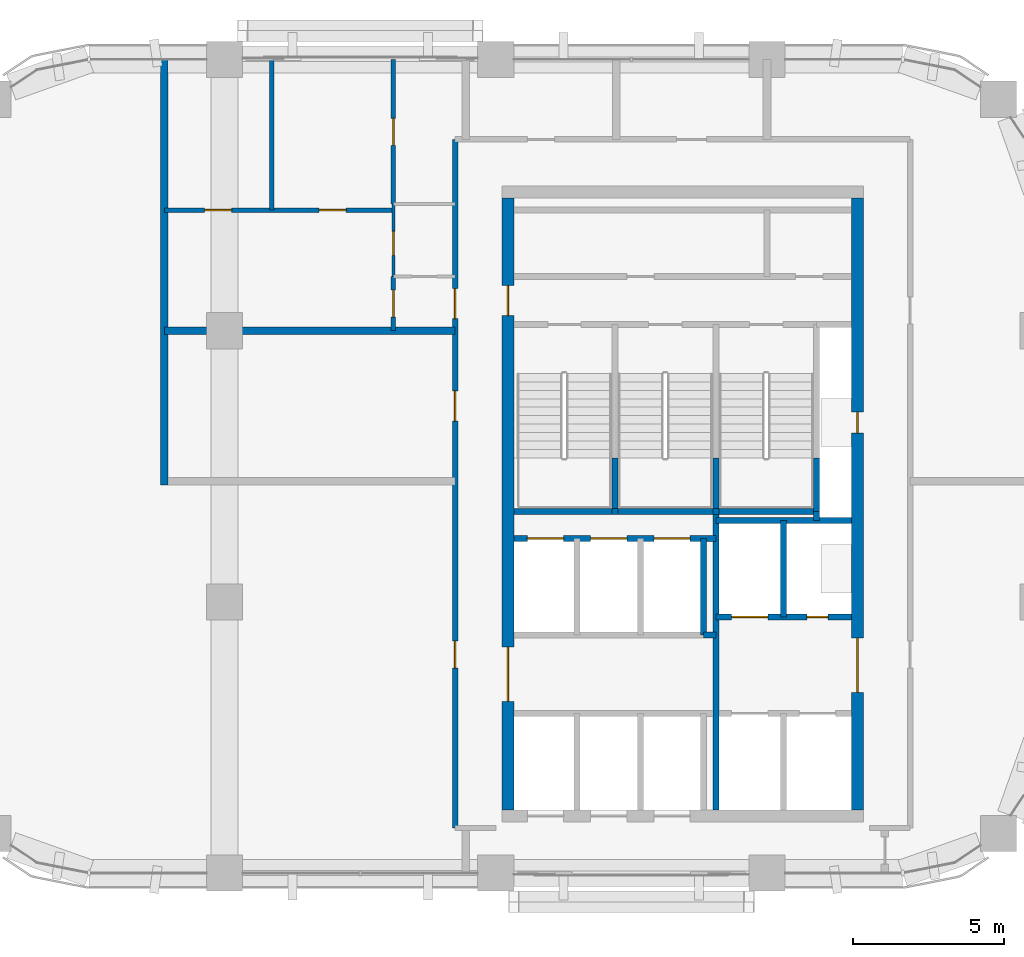
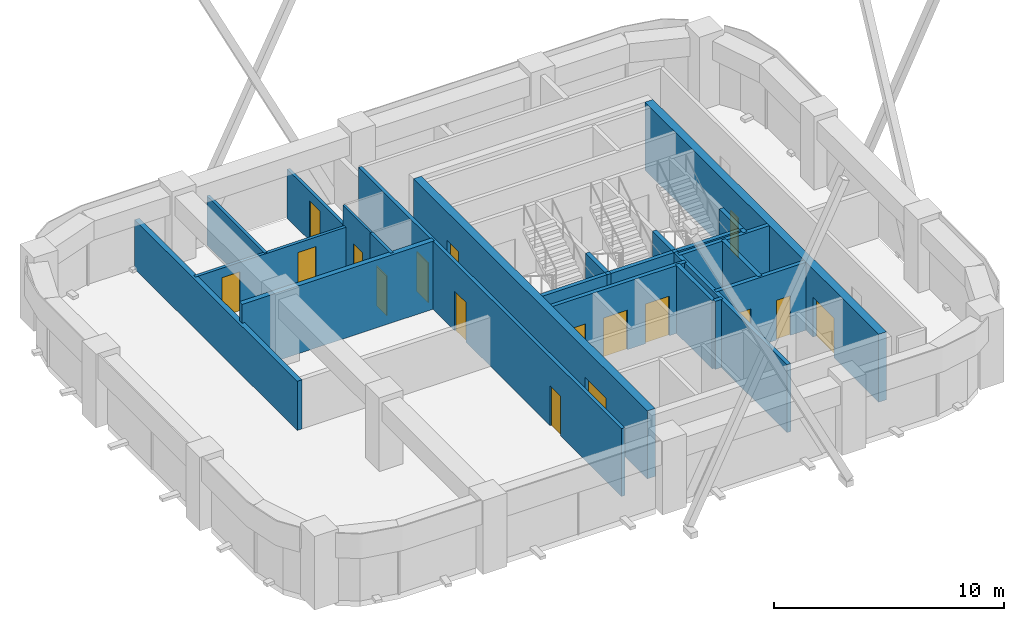
# One storey, part 7 of 10: 26 walls, 17 doors, 17 openings.
"""IFC4 building model written with IfcOpenShell, lengths in metres."""

from ifc_helpers import new_model, si_unit, direction, frame, frame_2d, origin, place, context, subcontext, project, spatial, rectangle, extrude, material, layer, layer_set, type_object, element, fill, save


model = new_model("IFC4")

# Units and contexts
model_context = context("Model", 3, precision=1e-05, world=origin(), true_north=direction((0.0, 1.0)))
body_context = subcontext(model_context, "Body", "Model", "MODEL_VIEW")
ifc_project = project(units=[si_unit("LENGTHUNIT", "METRE"), si_unit("AREAUNIT", "SQUARE_METRE"), si_unit("VOLUMEUNIT", "CUBIC_METRE"), si_unit("PLANEANGLEUNIT", "RADIAN"), si_unit("MASSUNIT", "GRAM", prefix="KILO")], contexts=[model_context])

# Site, building, storey
site_placement = place(None, origin())
site = spatial("IfcSite", under=ifc_project, at=site_placement, CompositionType="ELEMENT")
building_placement = place(site_placement, origin())
building = spatial("IfcBuilding", under=site, at=building_placement, Name="Tessera Arch", CompositionType="ELEMENT")
storey_placement = place(building_placement, frame((0.0, 0.0, 265.699951171875)))
storey = spatial("IfcBuildingStorey", under=building, at=storey_placement, Name="L64", CompositionType="ELEMENT", Elevation=265.699951171875)

# Wall
ifc_material_1 = material(Name="Gypsum board on steel stud", Category="steel")
ifc_layer_1 = layer(ifc_material_1, 0.125)
ifc_layer_set_1 = layer_set([ifc_layer_1], Name="Core partition 125 EI 60")
wall_type_1 = type_object("IfcWallType", Name="Core partition 125 EI 60", PredefinedType="PARTITIONING", material=ifc_layer_set_1)
wall_1_placement = place(storey_placement, frame((42.89990234375, 34.89990234375, 0.0), z_axis=(0.0, 0.0, 1.0), x_axis=(1.0, 0.0, 0.0)))
element("IfcWall", 1, at=wall_1_placement, inside=storey, type_object=wall_type_1, Name="L64 C1 partition wall 19", PredefinedType="PARTITIONING", context=body_context, shape_type="SweptSolid", body=[
    extrude(rectangle(XDim=0.400146484375, YDim=0.199951171875, at=frame_2d((0.2001953125, 0.0))), origin(), (0.0, 0.0, 1.0), 3.60009765625),
])

# Wall, openings, doors
ifc_material_2 = material(Name="Concrete C50/60", Category="concrete")
ifc_layer_2 = layer(ifc_material_2, 0.39990234375)
ifc_layer_set_2 = layer_set([ifc_layer_2], Name="Core shell wall 400 C50-60")
wall_type_2 = type_object("IfcWallType", Name="Core shell wall 400 C50-60", PredefinedType="SHEAR", material=ifc_layer_set_2)
wall_2_placement = place(storey_placement, frame((36.39990234375, 29.10009765625, 0.0), z_axis=(0.0, 0.0, 1.0), x_axis=(0.0, 1.0, 0.0)))
wall_2 = element("IfcWall", 2, at=wall_2_placement, inside=storey, type_object=wall_type_2, Name="L64 C1 core wall W", PredefinedType="SHEAR", context=body_context, shape_type="SweptSolid", body=[
    extrude(rectangle(XDim=20.2998046875, YDim=0.39990234375, at=frame_2d((10.14990234375, 0.0))), origin(), (0.0, 0.0, 1.0), 3.60009765625),
])
opening_1_placement = place(wall_2_placement, frame((3.60009765625, 0.0, 0.0)))
opening_1 = element("IfcOpeningElement", 3, at=opening_1_placement, cuts=wall_2, Name="Opening L64-C10", PredefinedType="OPENING", context=body_context, shape_type="SweptSolid", body=[
    extrude(rectangle(XDim=1.800048828125, YDim=2.10009765625, at=frame_2d((0.89990234375, 1.050048828125))), frame((0.0, 0.2099609375, 0.0), z_axis=(0.0, -1.0, 0.0), x_axis=(1.0, 0.0, 0.0)), (0.0, 0.0, 1.0), 0.419921875),
])
opening_2_placement = place(wall_2_placement, frame((16.39990234375, 0.0, 0.0)))
opening_2 = element("IfcOpeningElement", 4, at=opening_2_placement, cuts=wall_2, Name="Opening L64-C17", PredefinedType="OPENING", context=body_context, shape_type="SweptSolid", body=[
    extrude(rectangle(XDim=1.0, YDim=2.10009765625, at=frame_2d((0.5, 1.050048828125))), frame((0.0, 0.2099609375, 0.0), z_axis=(0.0, -1.0, 0.0), x_axis=(1.0, 0.0, 0.0)), (0.0, 0.0, 1.0), 0.419921875),
])
ifc_material_3 = material(Name="Steel door leaf", Category="steel")
door_type_1 = type_object("IfcDoorType", Name="Corridor door FD60 1000 x 2100", OperationType="SINGLE_SWING_LEFT", PredefinedType="DOOR", material=ifc_material_3)
door_1_placement = place(opening_2_placement, origin())
door_1 = element("IfcDoor", 5, at=door_1_placement, inside=storey, type_object=door_type_1, Name="L64 C1 door 17 C17 type D12", OperationType="SINGLE_SWING_RIGHT", OverallHeight=2.10009765625, OverallWidth=1.0, PredefinedType="DOOR", context=body_context, shape_type="SweptSolid", body=[
    extrude(rectangle(XDim=1.0, YDim=2.10009765625, at=frame_2d((0.5, 1.050048828125))), frame((0.0, 0.02490234375, 0.0), z_axis=(0.0, -1.0, 0.0), x_axis=(1.0, 0.0, 0.0)), (0.0, 0.0, 1.0), 0.050048828125),
])
fill(opening_2, door_1)
ifc_material_4 = material(Name="Glazed steel door leaf", Category="steel")
door_type_2 = type_object("IfcDoorType", Name="Lobby double door FD30S 1800 x 2100", OperationType="DOUBLE_DOOR_SINGLE_SWING", PredefinedType="DOOR", material=ifc_material_4)
door_2_placement = place(opening_1_placement, origin())
door_2 = element("IfcDoor", 6, at=door_2_placement, inside=storey, type_object=door_type_2, Name="L64 C1 door 10 C10 type D06", OperationType="DOUBLE_DOOR_SINGLE_SWING", OverallHeight=2.10009765625, OverallWidth=1.800048828125, PredefinedType="DOOR", context=body_context, shape_type="SweptSolid", body=[
    extrude(rectangle(XDim=1.800048828125, YDim=2.10009765625, at=frame_2d((0.89990234375, 1.050048828125))), frame((0.0, 0.02490234375, 0.0), z_axis=(0.0, -1.0, 0.0), x_axis=(1.0, 0.0, 0.0)), (0.0, 0.0, 1.0), 0.050048828125),
])
fill(opening_1, door_2)

wall_3_placement = place(storey_placement, frame((48.0, 29.10009765625, 0.0), z_axis=(0.0, 0.0, 1.0), x_axis=(0.0, 1.0, 0.0)))
wall_3 = element("IfcWall", 7, at=wall_3_placement, inside=storey, type_object=wall_type_2, Name="L64 C1 core wall E", PredefinedType="SHEAR", context=body_context, shape_type="SweptSolid", body=[
    extrude(rectangle(XDim=20.2998046875, YDim=0.39990234375, at=frame_2d((10.14990234375, 0.0))), origin(), (0.0, 0.0, 1.0), 3.60009765625),
])
opening_3_placement = place(wall_3_placement, frame((12.5, 0.0, 0.0)))
opening_3 = element("IfcOpeningElement", 8, at=opening_3_placement, cuts=wall_3, Name="Opening L64-C14", PredefinedType="OPENING", context=body_context, shape_type="SweptSolid", body=[
    extrude(rectangle(XDim=0.699951171875, YDim=2.10009765625, at=frame_2d((0.35009765625, 1.050048828125))), frame((0.0, 0.2099609375, 0.0), z_axis=(0.0, -1.0, 0.0), x_axis=(1.0, 0.0, 0.0)), (0.0, 0.0, 1.0), 0.419921875),
])
opening_4_placement = place(wall_3_placement, frame((3.89990234375, 0.0, 0.0)))
opening_4 = element("IfcOpeningElement", 9, at=opening_4_placement, cuts=wall_3, Name="Opening L64-C15", PredefinedType="OPENING", context=body_context, shape_type="SweptSolid", body=[
    extrude(rectangle(XDim=1.800048828125, YDim=2.10009765625, at=frame_2d((0.89990234375, 1.050048828125))), frame((0.0, 0.2099609375, 0.0), z_axis=(0.0, -1.0, 0.0), x_axis=(1.0, 0.0, 0.0)), (0.0, 0.0, 1.0), 0.419921875),
])
ifc_material_5 = material(Name="Glazed steel door leaf", Category="steel")
door_type_3 = type_object("IfcDoorType", Name="Lobby double door FD60 1800 x 2100", OperationType="DOUBLE_DOOR_SINGLE_SWING", PredefinedType="DOOR", material=ifc_material_5)
door_3_placement = place(opening_4_placement, origin())
door_3 = element("IfcDoor", 10, at=door_3_placement, inside=storey, type_object=door_type_3, Name="L64 C1 door 15 C15 type D19", OperationType="DOUBLE_DOOR_SINGLE_SWING", OverallHeight=2.10009765625, OverallWidth=1.800048828125, PredefinedType="DOOR", context=body_context, shape_type="SweptSolid", body=[
    extrude(rectangle(XDim=1.800048828125, YDim=2.10009765625, at=frame_2d((0.89990234375, 1.050048828125))), frame((0.0, 0.02490234375, 0.0), z_axis=(0.0, -1.0, 0.0), x_axis=(1.0, 0.0, 0.0)), (0.0, 0.0, 1.0), 0.050048828125),
])
fill(opening_4, door_3)
ifc_material_6 = material(Name="Steel door leaf", Category="steel")
door_type_4 = type_object("IfcDoorType", Name="Service shaft door FD60 700 x 2100", OperationType="SINGLE_SWING_LEFT", PredefinedType="DOOR", material=ifc_material_6)
door_4_placement = place(opening_3_placement, origin())
door_4 = element("IfcDoor", 11, at=door_4_placement, inside=storey, type_object=door_type_4, Name="L64 C1 door 14 C14 type D07", OperationType="SINGLE_SWING_RIGHT", OverallHeight=2.10009765625, OverallWidth=0.699951171875, PredefinedType="DOOR", context=body_context, shape_type="SweptSolid", body=[
    extrude(rectangle(XDim=0.699951171875, YDim=2.10009765625, at=frame_2d((0.35009765625, 1.050048828125))), frame((0.0, 0.02490234375, 0.0), z_axis=(0.0, -1.0, 0.0), x_axis=(1.0, 0.0, 0.0)), (0.0, 0.0, 1.0), 0.050048828125),
])
fill(opening_3, door_4)

ifc_material_7 = material(Name="Gypsum board on deep steel stud with mineral wool", Category="steel")
ifc_layer_3 = layer(ifc_material_7, 0.175048828125)
ifc_layer_set_3 = layer_set([ifc_layer_3], Name="Corridor wall 175 EI 60")
wall_type_3 = type_object("IfcWallType", Name="Corridor wall 175 EI 60", PredefinedType="PARTITIONING", material=ifc_layer_set_3)
wall_4_placement = place(storey_placement, frame((34.64990234375, 28.5, 0.0), z_axis=(0.0, 0.0, 1.0), x_axis=(0.0, 1.0, 0.0)))
wall_4 = element("IfcWall", 12, at=wall_4_placement, inside=storey, type_object=wall_type_3, Name="L64 partition 4", PredefinedType="PARTITIONING", context=body_context, shape_type="SweptSolid", body=[
    extrude(rectangle(XDim=22.85009765625, YDim=0.175048828125, at=frame_2d((11.425048828125, 0.0))), origin(), (0.0, 0.0, 1.0), 3.60009765625),
])
opening_5_placement = place(wall_4_placement, frame((5.300048828125, 0.0, 0.0)))
opening_5 = element("IfcOpeningElement", 13, at=opening_5_placement, cuts=wall_4, Name="Opening L64-D002", PredefinedType="OPENING", context=body_context, shape_type="SweptSolid", body=[
    extrude(rectangle(XDim=0.89990234375, YDim=2.10009765625, at=frame_2d((0.449951171875, 1.050048828125))), frame((0.0, 0.097412109375, 0.0), z_axis=(0.0, -1.0, 0.0), x_axis=(1.0, 0.0, 0.0)), (0.0, 0.0, 1.0), 0.195068359375),
])
opening_6_placement = place(wall_4_placement, frame((13.5, 0.0, 0.0)))
opening_6 = element("IfcOpeningElement", 14, at=opening_6_placement, cuts=wall_4, Name="Opening L64-D003", PredefinedType="OPENING", context=body_context, shape_type="SweptSolid", body=[
    extrude(rectangle(XDim=1.0, YDim=2.10009765625, at=frame_2d((0.5, 1.050048828125))), frame((0.0, 0.097412109375, 0.0), z_axis=(0.0, -1.0, 0.0), x_axis=(1.0, 0.0, 0.0)), (0.0, 0.0, 1.0), 0.195068359375),
])
opening_7_placement = place(wall_4_placement, frame((16.89990234375, 0.0, 0.0)))
opening_7 = element("IfcOpeningElement", 15, at=opening_7_placement, cuts=wall_4, Name="Opening L64-D005", PredefinedType="OPENING", context=body_context, shape_type="SweptSolid", body=[
    extrude(rectangle(XDim=1.0, YDim=2.10009765625, at=frame_2d((0.5, 1.050048828125))), frame((0.0, 0.097412109375, 0.0), z_axis=(0.0, -1.0, 0.0), x_axis=(1.0, 0.0, 0.0)), (0.0, 0.0, 1.0), 0.195068359375),
])
ifc_material_8 = material(Name="Fire-rated door leaf")
door_type_5 = type_object("IfcDoorType", Name="Entrance door FD30S 1000 x 2100", OperationType="SINGLE_SWING_LEFT", PredefinedType="DOOR", material=ifc_material_8)
door_5_placement = place(opening_6_placement, origin())
door_5 = element("IfcDoor", 16, at=door_5_placement, inside=storey, type_object=door_type_5, Name="L64 door D003 type D03", OperationType="SINGLE_SWING_RIGHT", OverallHeight=2.10009765625, OverallWidth=1.0, PredefinedType="DOOR", context=body_context, shape_type="SweptSolid", body=[
    extrude(rectangle(XDim=1.0, YDim=2.10009765625, at=frame_2d((0.5, 1.050048828125))), frame((0.0, 0.02490234375, 0.0), z_axis=(0.0, -1.0, 0.0), x_axis=(1.0, 0.0, 0.0)), (0.0, 0.0, 1.0), 0.050048828125),
])
fill(opening_6, door_5)
door_6_placement = place(opening_7_placement, origin())
door_6 = element("IfcDoor", 17, at=door_6_placement, inside=storey, type_object=door_type_5, Name="L64 door D005 type D03", OperationType="SINGLE_SWING_RIGHT", OverallHeight=2.10009765625, OverallWidth=1.0, PredefinedType="DOOR", context=body_context, shape_type="SweptSolid", body=[
    extrude(rectangle(XDim=1.0, YDim=2.10009765625, at=frame_2d((0.5, 1.050048828125))), frame((0.0, 0.02490234375, 0.0), z_axis=(0.0, -1.0, 0.0), x_axis=(1.0, 0.0, 0.0)), (0.0, 0.0, 1.0), 0.050048828125),
])
fill(opening_7, door_6)
ifc_material_9 = material(Name="Timber door leaf", Category="wood")
door_type_6 = type_object("IfcDoorType", Name="Room door 900 x 2100", OperationType="SINGLE_SWING_LEFT", PredefinedType="DOOR", material=ifc_material_9)
door_7_placement = place(opening_5_placement, origin())
door_7 = element("IfcDoor", 18, at=door_7_placement, inside=storey, type_object=door_type_6, Name="L64 door D002 type D01", OperationType="SINGLE_SWING_LEFT", OverallHeight=2.10009765625, OverallWidth=0.89990234375, PredefinedType="DOOR", context=body_context, shape_type="SweptSolid", body=[
    extrude(rectangle(XDim=0.89990234375, YDim=2.10009765625, at=frame_2d((0.449951171875, 1.050048828125))), frame((0.0, 0.02490234375, 0.0), z_axis=(0.0, -1.0, 0.0), x_axis=(1.0, 0.0, 0.0)), (0.0, 0.0, 1.0), 0.050048828125),
])
fill(opening_5, door_7)

ifc_material_10 = material(Name="Gypsum board on steel stud", Category="steel")
ifc_layer_4 = layer(ifc_material_10, 0.14990234375)
ifc_layer_set_4 = layer_set([ifc_layer_4], Name="Partition 150")
wall_type_4 = type_object("IfcWallType", Name="Partition 150", PredefinedType="PARTITIONING", material=ifc_layer_set_4)
wall_5_placement = place(storey_placement, frame((25.0, 49.0, 0.0), z_axis=(0.0, 0.0, 1.0), x_axis=(1.0, 0.0, 0.0)))
wall_5 = element("IfcWall", 19, at=wall_5_placement, inside=storey, type_object=wall_type_4, Name="L64 partition 6", PredefinedType="PARTITIONING", context=body_context, shape_type="SweptSolid", body=[
    extrude(rectangle(XDim=7.60009765625, YDim=0.14990234375, at=frame_2d((3.800048828125, 0.0))), origin(), (0.0, 0.0, 1.0), 2.60009765625),
])
opening_8_placement = place(wall_5_placement, frame((5.135986328125, 0.0, 0.0)))
opening_8 = element("IfcOpeningElement", 20, at=opening_8_placement, cuts=wall_5, Name="Opening L64-D010", PredefinedType="OPENING", context=body_context, shape_type="SweptSolid", body=[
    extrude(rectangle(XDim=0.89990234375, YDim=2.10009765625, at=frame_2d((0.449951171875, 1.050048828125))), frame((0.0, 0.0849609375, 0.0), z_axis=(0.0, -1.0, 0.0), x_axis=(1.0, 0.0, 0.0)), (0.0, 0.0, 1.0), 0.169921875),
])
opening_9_placement = place(wall_5_placement, frame((1.3359375, 0.0, 0.0)))
opening_9 = element("IfcOpeningElement", 21, at=opening_9_placement, cuts=wall_5, Name="Opening L64-D011", PredefinedType="OPENING", context=body_context, shape_type="SweptSolid", body=[
    extrude(rectangle(XDim=0.89990234375, YDim=2.10009765625, at=frame_2d((0.449951171875, 1.050048828125))), frame((0.0, 0.0849609375, 0.0), z_axis=(0.0, -1.0, 0.0), x_axis=(1.0, 0.0, 0.0)), (0.0, 0.0, 1.0), 0.169921875),
])
door_8_placement = place(opening_8_placement, origin())
door_8 = element("IfcDoor", 22, at=door_8_placement, inside=storey, type_object=door_type_6, Name="L64 door D010 type D01", OperationType="SINGLE_SWING_RIGHT", OverallHeight=2.10009765625, OverallWidth=0.89990234375, PredefinedType="DOOR", context=body_context, shape_type="SweptSolid", body=[
    extrude(rectangle(XDim=0.89990234375, YDim=2.10009765625, at=frame_2d((0.449951171875, 1.050048828125))), frame((0.0, 0.02490234375, 0.0), z_axis=(0.0, -1.0, 0.0), x_axis=(1.0, 0.0, 0.0)), (0.0, 0.0, 1.0), 0.050048828125),
])
fill(opening_8, door_8)
door_9_placement = place(opening_9_placement, origin())
door_9 = element("IfcDoor", 23, at=door_9_placement, inside=storey, type_object=door_type_6, Name="L64 door D011 type D01", OperationType="SINGLE_SWING_RIGHT", OverallHeight=2.10009765625, OverallWidth=0.89990234375, PredefinedType="DOOR", context=body_context, shape_type="SweptSolid", body=[
    extrude(rectangle(XDim=0.89990234375, YDim=2.10009765625, at=frame_2d((0.449951171875, 1.050048828125))), frame((0.0, 0.02490234375, 0.0), z_axis=(0.0, -1.0, 0.0), x_axis=(1.0, 0.0, 0.0)), (0.0, 0.0, 1.0), 0.050048828125),
])
fill(opening_9, door_9)

# Wall
wall_6_placement = place(storey_placement, frame((28.572021484375, 49.0, 0.0), z_axis=(0.0, 0.0, 1.0), x_axis=(0.0, 1.0, 0.0)))
element("IfcWall", 24, at=wall_6_placement, inside=storey, type_object=wall_type_4, Name="L64 partition 7", PredefinedType="PARTITIONING", context=body_context, shape_type="SweptSolid", body=[
    extrude(rectangle(XDim=5.0, YDim=0.14990234375, at=frame_2d((2.5, 0.0))), origin(), (0.0, 0.0, 1.0), 2.60009765625),
])

# Wall, opening, door
wall_7_placement = place(storey_placement, frame((32.60009765625, 45.0, 0.0), z_axis=(0.0, 0.0, 1.0), x_axis=(0.0, 1.0, 0.0)))
wall_7 = element("IfcWall", 25, at=wall_7_placement, inside=storey, type_object=wall_type_4, Name="L64 partition 8", PredefinedType="PARTITIONING", context=body_context, shape_type="SweptSolid", body=[
    extrude(rectangle(XDim=1.800048828125, YDim=0.14990234375, at=frame_2d((0.89990234375, 0.0))), origin(), (0.0, 0.0, 1.0), 3.60009765625),
])
opening_10_placement = place(wall_7_placement, frame((0.449951171875, 0.0, 0.0)))
opening_10 = element("IfcOpeningElement", 26, at=opening_10_placement, cuts=wall_7, Name="Opening L64-D006", PredefinedType="OPENING", context=body_context, shape_type="SweptSolid", body=[
    extrude(rectangle(XDim=0.89990234375, YDim=2.10009765625, at=frame_2d((0.449951171875, 1.050048828125))), frame((0.0, 0.0849609375, 0.0), z_axis=(0.0, -1.0, 0.0), x_axis=(1.0, 0.0, 0.0)), (0.0, 0.0, 1.0), 0.169921875),
])
door_10_placement = place(opening_10_placement, origin())
door_10 = element("IfcDoor", 27, at=door_10_placement, inside=storey, type_object=door_type_6, Name="L64 door D006 type D01", OperationType="SINGLE_SWING_LEFT", OverallHeight=2.10009765625, OverallWidth=0.89990234375, PredefinedType="DOOR", context=body_context, shape_type="SweptSolid", body=[
    extrude(rectangle(XDim=0.89990234375, YDim=2.10009765625, at=frame_2d((0.449951171875, 1.050048828125))), frame((0.0, 0.02490234375, 0.0), z_axis=(0.0, -1.0, 0.0), x_axis=(1.0, 0.0, 0.0)), (0.0, 0.0, 1.0), 0.050048828125),
])
fill(opening_10, door_10)

wall_8_placement = place(storey_placement, frame((32.60009765625, 49.199951171875, 0.0), z_axis=(0.0, 0.0, 1.0), x_axis=(0.0, 1.0, 0.0)))
wall_8 = element("IfcWall", 28, at=wall_8_placement, inside=storey, type_object=wall_type_4, Name="L64 partition 9", PredefinedType="PARTITIONING", context=body_context, shape_type="SweptSolid", body=[
    extrude(rectangle(XDim=4.800048828125, YDim=0.14990234375, at=frame_2d((2.39990234375, 0.0))), origin(), (0.0, 0.0, 1.0), 2.60009765625),
])
opening_11_placement = place(wall_8_placement, frame((1.949951171875, 0.0, 0.0)))
opening_11 = element("IfcOpeningElement", 29, at=opening_11_placement, cuts=wall_8, Name="Opening L64-D009", PredefinedType="OPENING", context=body_context, shape_type="SweptSolid", body=[
    extrude(rectangle(XDim=0.89990234375, YDim=2.10009765625, at=frame_2d((0.449951171875, 1.050048828125))), frame((0.0, 0.0849609375, 0.0), z_axis=(0.0, -1.0, 0.0), x_axis=(1.0, 0.0, 0.0)), (0.0, 0.0, 1.0), 0.169921875),
])
door_11_placement = place(opening_11_placement, origin())
door_11 = element("IfcDoor", 30, at=door_11_placement, inside=storey, type_object=door_type_6, Name="L64 door D009 type D01", OperationType="SINGLE_SWING_LEFT", OverallHeight=2.10009765625, OverallWidth=0.89990234375, PredefinedType="DOOR", context=body_context, shape_type="SweptSolid", body=[
    extrude(rectangle(XDim=0.89990234375, YDim=2.10009765625, at=frame_2d((0.449951171875, 1.050048828125))), frame((0.0, 0.02490234375, 0.0), z_axis=(0.0, -1.0, 0.0), x_axis=(1.0, 0.0, 0.0)), (0.0, 0.0, 1.0), 0.050048828125),
])
fill(opening_11, door_11)

# Walls
ifc_material_11 = material(Name="Double gypsum board on twin steel stud with acoustic mineral wool", Category="steel")
ifc_layer_5 = layer(ifc_material_11, 0.25)
ifc_layer_set_5 = layer_set([ifc_layer_5], Name="Party wall 250 EI 60")
wall_type_5 = type_object("IfcWallType", Name="Party wall 250 EI 60", PredefinedType="PARTITIONING", material=ifc_layer_set_5)
wall_9_placement = place(storey_placement, frame((25.0, 45.0, 0.0), z_axis=(0.0, 0.0, 1.0), x_axis=(1.0, 0.0, 0.0)))
element("IfcWall", 31, at=wall_9_placement, inside=storey, type_object=wall_type_5, Name="L64 partition 12", PredefinedType="PARTITIONING", context=body_context, shape_type="SweptSolid", body=[
    extrude(rectangle(XDim=9.64990234375, YDim=0.25, at=frame_2d((4.824951171875, 0.0))), origin(), (0.0, 0.0, 1.0), 3.60009765625),
])
wall_10_placement = place(storey_placement, frame((25.0, 39.875, 0.0), z_axis=(0.0, 0.0, 1.0), x_axis=(0.0, 1.0, 0.0)))
element("IfcWall", 32, at=wall_10_placement, inside=storey, type_object=wall_type_5, Name="L64 partition 13", PredefinedType="PARTITIONING", context=body_context, shape_type="SweptSolid", body=[
    extrude(rectangle(XDim=14.125, YDim=0.25, at=frame_2d((7.0625, 0.0))), origin(), (0.0, 0.0, 1.0), 2.60009765625),
])
ifc_material_12 = material(Name="Concrete C40/50", Category="concrete")
ifc_layer_6 = layer(ifc_material_12, 0.199951171875)
ifc_layer_set_6 = layer_set([ifc_layer_6], Name="Shaft wall 200 EI 120")
wall_type_6 = type_object("IfcWallType", Name="Shaft wall 200 EI 120", PredefinedType="SOLIDWALL", material=ifc_layer_set_6)
wall_11_placement = place(storey_placement, frame((42.89990234375, 34.89990234375, 0.0), z_axis=(0.0, 0.0, 1.0), x_axis=(0.0, 1.0, 0.0)))
element("IfcWall", 33, at=wall_11_placement, inside=storey, type_object=wall_type_6, Name="L64 C1 shaft wall 8", PredefinedType="SOLIDWALL", context=body_context, shape_type="SweptSolid", body=[
    extrude(rectangle(XDim=3.2001953125, YDim=0.199951171875, at=frame_2d((1.60009765625, 0.0))), origin(), (0.0, 0.0, 1.0), 3.60009765625),
])
wall_12_placement = place(storey_placement, frame((43.300048828125, 29.10009765625, 0.0), z_axis=(0.0, 0.0, 1.0), x_axis=(0.0, 1.0, 0.0)))
element("IfcWall", 34, at=wall_12_placement, inside=storey, type_object=wall_type_6, Name="L64 C1 shaft wall 9", PredefinedType="SOLIDWALL", context=body_context, shape_type="SweptSolid", body=[
    extrude(rectangle(XDim=9.89990234375, YDim=0.199951171875, at=frame_2d((4.949951171875, 0.0))), origin(), (0.0, 0.0, 1.0), 3.60009765625),
])
wall_13_placement = place(storey_placement, frame((45.550048828125, 35.5, 0.0), z_axis=(0.0, 0.0, 1.0), x_axis=(0.0, 1.0, 0.0)))
element("IfcWall", 35, at=wall_13_placement, inside=storey, type_object=wall_type_6, Name="L64 C1 shaft wall 14", PredefinedType="SOLIDWALL", context=body_context, shape_type="SweptSolid", body=[
    extrude(rectangle(XDim=3.199951171875, YDim=0.199951171875, at=frame_2d((1.60009765625, 0.0))), origin(), (0.0, 0.0, 1.0), 3.60009765625),
])
wall_14_placement = place(storey_placement, frame((46.64990234375, 38.699951171875, 0.0), z_axis=(0.0, 0.0, 1.0), x_axis=(0.0, 1.0, 0.0)))
element("IfcWall", 36, at=wall_14_placement, inside=storey, type_object=wall_type_6, Name="L64 C1 shaft wall 15", PredefinedType="SOLIDWALL", context=body_context, shape_type="SweptSolid", body=[
    extrude(rectangle(XDim=0.300048828125, YDim=0.199951171875, at=frame_2d((0.14990234375, 0.0))), origin(), (0.0, 0.0, 1.0), 3.60009765625),
])

# Wall, openings, doors
wall_15_placement = place(storey_placement, frame((43.300048828125, 35.5, 0.0), z_axis=(0.0, 0.0, 1.0), x_axis=(1.0, 0.0, 0.0)))
wall_15 = element("IfcWall", 37, at=wall_15_placement, inside=storey, type_object=wall_type_6, Name="L64 C1 shaft wall 21", PredefinedType="SOLIDWALL", context=body_context, shape_type="SweptSolid", body=[
    extrude(rectangle(XDim=4.5, YDim=0.199951171875, at=frame_2d((2.25, 0.0))), origin(), (0.0, 0.0, 1.0), 3.60009765625),
])
opening_12_placement = place(wall_15_placement, frame((0.52490234375, 0.0, 0.0)))
opening_12 = element("IfcOpeningElement", 38, at=opening_12_placement, cuts=wall_15, Name="Opening L64-C09", PredefinedType="OPENING", context=body_context, shape_type="SweptSolid", body=[
    extrude(rectangle(XDim=1.199951171875, YDim=2.10009765625, at=frame_2d((0.60009765625, 1.050048828125))), frame((0.0, 0.10986328125, 0.0), z_axis=(0.0, -1.0, 0.0), x_axis=(1.0, 0.0, 0.0)), (0.0, 0.0, 1.0), 0.219970703125),
])
opening_13_placement = place(wall_15_placement, frame((3.02490234375, 0.0, 0.0)))
opening_13 = element("IfcOpeningElement", 39, at=opening_13_placement, cuts=wall_15, Name="Opening L64-C16", PredefinedType="OPENING", context=body_context, shape_type="SweptSolid", body=[
    extrude(rectangle(XDim=0.699951171875, YDim=2.10009765625, at=frame_2d((0.35009765625, 1.050048828125))), frame((0.0, 0.10986328125, 0.0), z_axis=(0.0, -1.0, 0.0), x_axis=(1.0, 0.0, 0.0)), (0.0, 0.0, 1.0), 0.219970703125),
])
door_12_placement = place(opening_13_placement, origin())
door_12 = element("IfcDoor", 40, at=door_12_placement, inside=storey, type_object=door_type_4, Name="L64 C1 door 16 C16 type D07", OperationType="SINGLE_SWING_RIGHT", OverallHeight=2.10009765625, OverallWidth=0.699951171875, PredefinedType="DOOR", context=body_context, shape_type="SweptSolid", body=[
    extrude(rectangle(XDim=0.699951171875, YDim=2.10009765625, at=frame_2d((0.35009765625, 1.050048828125))), frame((0.0, 0.02490234375, 0.0), z_axis=(0.0, -1.0, 0.0), x_axis=(1.0, 0.0, 0.0)), (0.0, 0.0, 1.0), 0.050048828125),
])
fill(opening_13, door_12)
ifc_material_13 = material(Name="Stainless steel AISI 304", Category="steel")
door_type_7 = type_object("IfcDoorType", Name="Sliding landing door 1200 x 2100", OperationType="SLIDING_TO_LEFT", PredefinedType="DOOR", material=ifc_material_13)
door_13_placement = place(opening_12_placement, origin())
door_13 = element("IfcDoor", 41, at=door_13_placement, inside=storey, type_object=door_type_7, Name="L64 SV2 lift landing door C09 type LD", OperationType="SLIDING_TO_LEFT", OverallHeight=2.10009765625, OverallWidth=1.199951171875, PredefinedType="DOOR", context=body_context, shape_type="SweptSolid", body=[
    extrude(rectangle(XDim=1.199951171875, YDim=2.10009765625, at=frame_2d((0.60009765625, 1.050048828125))), frame((0.0, 0.02490234375, 0.0), z_axis=(0.0, -1.0, 0.0), x_axis=(1.0, 0.0, 0.0)), (0.0, 0.0, 1.0), 0.050048828125),
])
fill(opening_12, door_13)

wall_16_placement = place(storey_placement, frame((36.60009765625, 38.10009765625, 0.0), z_axis=(0.0, 0.0, 1.0), x_axis=(1.0, 0.0, 0.0)))
wall_16 = element("IfcWall", 42, at=wall_16_placement, inside=storey, type_object=wall_type_6, Name="L64 C1 shaft wall 22", PredefinedType="SOLIDWALL", context=body_context, shape_type="SweptSolid", body=[
    extrude(rectangle(XDim=6.699951171875, YDim=0.199951171875, at=frame_2d((3.35009765625, 0.0))), origin(), (0.0, 0.0, 1.0), 3.60009765625),
])
opening_14_placement = place(wall_16_placement, frame((0.449951171875, 0.0, 0.0)))
opening_14 = element("IfcOpeningElement", 43, at=opening_14_placement, cuts=wall_16, Name="Opening L64-C02", PredefinedType="OPENING", context=body_context, shape_type="SweptSolid", body=[
    extrude(rectangle(XDim=1.199951171875, YDim=2.10009765625, at=frame_2d((0.60009765625, 1.050048828125))), frame((0.0, 0.10986328125, 0.0), z_axis=(0.0, -1.0, 0.0), x_axis=(1.0, 0.0, 0.0)), (0.0, 0.0, 1.0), 0.219970703125),
])
opening_15_placement = place(wall_16_placement, frame((2.550048828125, 0.0, 0.0)))
opening_15 = element("IfcOpeningElement", 44, at=opening_15_placement, cuts=wall_16, Name="Opening L64-C04", PredefinedType="OPENING", context=body_context, shape_type="SweptSolid", body=[
    extrude(rectangle(XDim=1.199951171875, YDim=2.10009765625, at=frame_2d((0.60009765625, 1.050048828125))), frame((0.0, 0.10986328125, 0.0), z_axis=(0.0, -1.0, 0.0), x_axis=(1.0, 0.0, 0.0)), (0.0, 0.0, 1.0), 0.219970703125),
])
opening_16_placement = place(wall_16_placement, frame((4.64990234375, 0.0, 0.0)))
opening_16 = element("IfcOpeningElement", 45, at=opening_16_placement, cuts=wall_16, Name="Opening L64-C06", PredefinedType="OPENING", context=body_context, shape_type="SweptSolid", body=[
    extrude(rectangle(XDim=1.199951171875, YDim=2.10009765625, at=frame_2d((0.60009765625, 1.050048828125))), frame((0.0, 0.10986328125, 0.0), z_axis=(0.0, -1.0, 0.0), x_axis=(1.0, 0.0, 0.0)), (0.0, 0.0, 1.0), 0.219970703125),
])
door_14_placement = place(opening_14_placement, origin())
door_14 = element("IfcDoor", 46, at=door_14_placement, inside=storey, type_object=door_type_7, Name="L64 HR4 lift landing door C02 type LD", OperationType="SLIDING_TO_LEFT", OverallHeight=2.10009765625, OverallWidth=1.199951171875, PredefinedType="DOOR", context=body_context, shape_type="SweptSolid", body=[
    extrude(rectangle(XDim=1.199951171875, YDim=2.10009765625, at=frame_2d((0.60009765625, 1.050048828125))), frame((0.0, 0.02490234375, 0.0), z_axis=(0.0, -1.0, 0.0), x_axis=(1.0, 0.0, 0.0)), (0.0, 0.0, 1.0), 0.050048828125),
])
fill(opening_14, door_14)
door_15_placement = place(opening_15_placement, origin())
door_15 = element("IfcDoor", 47, at=door_15_placement, inside=storey, type_object=door_type_7, Name="L64 HR5 lift landing door C04 type LD", OperationType="SLIDING_TO_LEFT", OverallHeight=2.10009765625, OverallWidth=1.199951171875, PredefinedType="DOOR", context=body_context, shape_type="SweptSolid", body=[
    extrude(rectangle(XDim=1.199951171875, YDim=2.10009765625, at=frame_2d((0.60009765625, 1.050048828125))), frame((0.0, 0.02490234375, 0.0), z_axis=(0.0, -1.0, 0.0), x_axis=(1.0, 0.0, 0.0)), (0.0, 0.0, 1.0), 0.050048828125),
])
fill(opening_15, door_15)
door_16_placement = place(opening_16_placement, origin())
door_16 = element("IfcDoor", 48, at=door_16_placement, inside=storey, type_object=door_type_7, Name="L64 HR6 lift landing door C06 type LD", OperationType="SLIDING_TO_LEFT", OverallHeight=2.10009765625, OverallWidth=1.199951171875, PredefinedType="DOOR", context=body_context, shape_type="SweptSolid", body=[
    extrude(rectangle(XDim=1.199951171875, YDim=2.10009765625, at=frame_2d((0.60009765625, 1.050048828125))), frame((0.0, 0.02490234375, 0.0), z_axis=(0.0, -1.0, 0.0), x_axis=(1.0, 0.0, 0.0)), (0.0, 0.0, 1.0), 0.050048828125),
])
fill(opening_16, door_16)

# Walls
wall_17_placement = place(storey_placement, frame((43.300048828125, 38.699951171875, 0.0), z_axis=(0.0, 0.0, 1.0), x_axis=(1.0, 0.0, 0.0)))
element("IfcWall", 49, at=wall_17_placement, inside=storey, type_object=wall_type_6, Name="L64 C1 shaft wall 23", PredefinedType="SOLIDWALL", context=body_context, shape_type="SweptSolid", body=[
    extrude(rectangle(XDim=4.5, YDim=0.199951171875, at=frame_2d((2.25, 0.0))), origin(), (0.0, 0.0, 1.0), 3.60009765625),
])
ifc_material_14 = material(Name="Concrete C40/50", Category="concrete")
ifc_layer_7 = layer(ifc_material_14, 0.199951171875)
ifc_layer_set_7 = layer_set([ifc_layer_7], Name="Stair well wall 200 REI 180")
wall_type_7 = type_object("IfcWallType", Name="Stair well wall 200 REI 180", PredefinedType="SOLIDWALL", material=ifc_layer_set_7)
for number, where, z_axis, x_axis, name in (
    (50, (39.949951171875, 39.0, 0.0), (0.0, 0.0, 1.0), (0.0, 1.0, 0.0), "L64 C1 shaft wall 3"),
    (51, (43.300048828125, 39.0, 0.0), (0.0, 0.0, 1.0), (0.0, 1.0, 0.0), "L64 C1 shaft wall 10"),
    (52, (46.64990234375, 39.0, 0.0), (0.0, 0.0, 1.0), (0.0, 1.0, 0.0), "L64 C1 shaft wall 16"),
):
    element("IfcWall", number, at=place(storey_placement, frame(where, z_axis=z_axis, x_axis=x_axis)), inside=storey, type_object=wall_type_7, Name=name, PredefinedType="SOLIDWALL", context=body_context, shape_type="SweptSolid", body=[
        extrude(rectangle(XDim=1.780029296875, YDim=0.199951171875, at=frame_2d((0.89013671875, 0.0))), origin(), (0.0, 0.0, 1.0), 3.60009765625),
    ])
wall_18_placement = place(storey_placement, frame((36.60009765625, 39.0, 0.0), z_axis=(0.0, 0.0, 1.0), x_axis=(1.0, 0.0, 0.0)))
element("IfcWall", 53, at=wall_18_placement, inside=storey, type_object=wall_type_7, Name="L64 C1 shaft wall 24", PredefinedType="SOLIDWALL", context=body_context, shape_type="SweptSolid", body=[
    extrude(rectangle(XDim=3.25, YDim=0.199951171875, at=frame_2d((1.625, 0.0))), origin(), (0.0, 0.0, 1.0), 3.60009765625),
])
wall_19_placement = place(storey_placement, frame((39.85009765625, 39.0, 0.0), z_axis=(0.0, 0.0, 1.0), x_axis=(1.0, 0.0, 0.0)))
element("IfcWall", 54, at=wall_19_placement, inside=storey, type_object=wall_type_7, Name="L64 C1 shaft wall 25", PredefinedType="SOLIDWALL", context=body_context, shape_type="SweptSolid", body=[
    extrude(rectangle(XDim=0.199951171875, YDim=0.199951171875, at=frame_2d((0.10009765625, 0.0))), origin(), (0.0, 0.0, 1.0), 3.60009765625),
])
wall_20_placement = place(storey_placement, frame((40.050048828125, 39.0, 0.0), z_axis=(0.0, 0.0, 1.0), x_axis=(1.0, 0.0, 0.0)))
element("IfcWall", 55, at=wall_20_placement, inside=storey, type_object=wall_type_7, Name="L64 C1 shaft wall 26", PredefinedType="SOLIDWALL", context=body_context, shape_type="SweptSolid", body=[
    extrude(rectangle(XDim=3.14990234375, YDim=0.199951171875, at=frame_2d((1.574951171875, 0.0))), origin(), (0.0, 0.0, 1.0), 3.60009765625),
])
wall_21_placement = place(storey_placement, frame((43.199951171875, 39.0, 0.0), z_axis=(0.0, 0.0, 1.0), x_axis=(1.0, 0.0, 0.0)))
element("IfcWall", 56, at=wall_21_placement, inside=storey, type_object=wall_type_7, Name="L64 C1 shaft wall 27", PredefinedType="SOLIDWALL", context=body_context, shape_type="SweptSolid", body=[
    extrude(rectangle(XDim=0.199951171875, YDim=0.199951171875, at=frame_2d((0.10009765625, 0.0))), origin(), (0.0, 0.0, 1.0), 3.60009765625),
])
wall_22_placement = place(storey_placement, frame((43.39990234375, 39.0, 0.0), z_axis=(0.0, 0.0, 1.0), x_axis=(1.0, 0.0, 0.0)))
element("IfcWall", 57, at=wall_22_placement, inside=storey, type_object=wall_type_7, Name="L64 C1 shaft wall 28", PredefinedType="SOLIDWALL", context=body_context, shape_type="SweptSolid", body=[
    extrude(rectangle(XDim=3.25, YDim=0.199951171875, at=frame_2d((1.625, 0.0))), origin(), (0.0, 0.0, 1.0), 3.60009765625),
])

# Wall, opening, door
ifc_material_15 = material(Name="Moisture-resistant board on pre-plumbed steel stud", Category="steel")
ifc_layer_8 = layer(ifc_material_15, 0.10009765625)
ifc_layer_set_8 = layer_set([ifc_layer_8], Name="Wet wall 100")
wall_type_8 = type_object("IfcWallType", Name="Wet wall 100", PredefinedType="PARTITIONING", material=ifc_layer_set_8)
wall_23_placement = place(storey_placement, frame((32.60009765625, 46.800048828125, 0.0), z_axis=(0.0, 0.0, 1.0), x_axis=(0.0, 1.0, 0.0)))
wall_23 = element("IfcWall", 58, at=wall_23_placement, inside=storey, type_object=wall_type_8, Name="L64 partition 21", PredefinedType="PARTITIONING", context=body_context, shape_type="SweptSolid", body=[
    extrude(rectangle(XDim=2.39990234375, YDim=0.10009765625, at=frame_2d((1.199951171875, 0.0))), origin(), (0.0, 0.0, 1.0), 3.60009765625),
])
opening_17_placement = place(wall_23_placement, frame((0.699951171875, 0.0, 0.0)))
opening_17 = element("IfcOpeningElement", 59, at=opening_17_placement, cuts=wall_23, Name="Opening L64-D008", PredefinedType="OPENING", context=body_context, shape_type="SweptSolid", body=[
    extrude(rectangle(XDim=0.800048828125, YDim=2.10009765625, at=frame_2d((0.39990234375, 1.050048828125))), frame((0.0, 0.06005859375, 0.0), z_axis=(0.0, -1.0, 0.0), x_axis=(1.0, 0.0, 0.0)), (0.0, 0.0, 1.0), 0.1201171875),
])
ifc_material_16 = material(Name="Timber door leaf", Category="wood")
door_type_8 = type_object("IfcDoorType", Name="En-suite door 800 x 2100", OperationType="SINGLE_SWING_LEFT", PredefinedType="DOOR", material=ifc_material_16)
door_17_placement = place(opening_17_placement, origin())
door_17 = element("IfcDoor", 60, at=door_17_placement, inside=storey, type_object=door_type_8, Name="L64 door D008 type D02", OperationType="SINGLE_SWING_RIGHT", OverallHeight=2.10009765625, OverallWidth=0.800048828125, PredefinedType="DOOR", context=body_context, shape_type="SweptSolid", body=[
    extrude(rectangle(XDim=0.800048828125, YDim=2.10009765625, at=frame_2d((0.39990234375, 1.050048828125))), frame((0.0, 0.02490234375, 0.0), z_axis=(0.0, -1.0, 0.0), x_axis=(1.0, 0.0, 0.0)), (0.0, 0.0, 1.0), 0.050048828125),
])
fill(opening_17, door_17)

save(model, "model.ifc")
